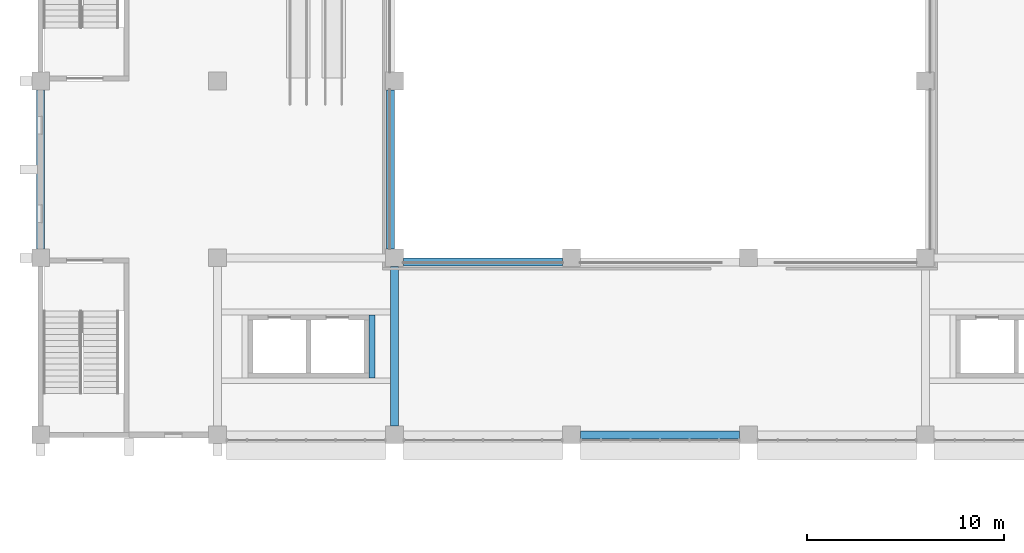
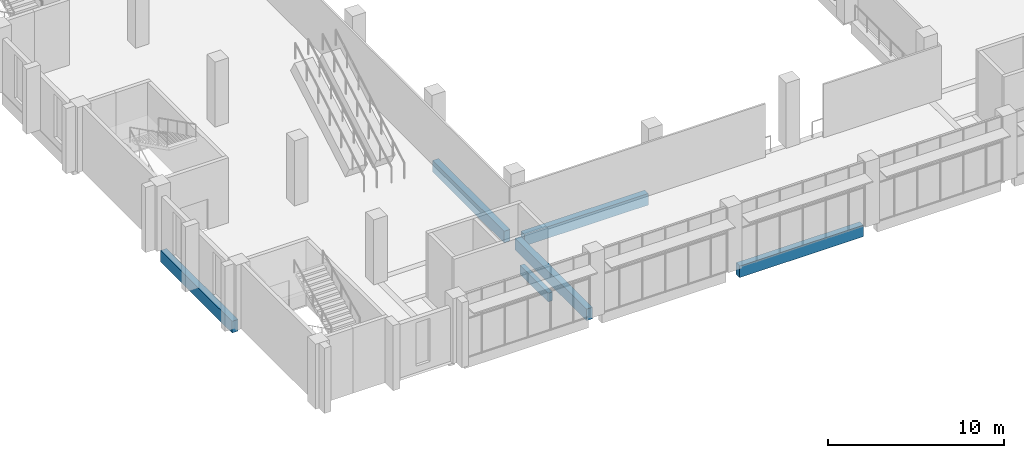
# One storey, part 3 of 88: 6 beams.
"""IFC4 building model written with IfcOpenShell, lengths in metres."""

from ifc_helpers import new_model, si_unit, direction, frame, origin, origin_2d, place, context, subcontext, project, spatial, rectangle, extrude, material, material_profile, profile_set, type_object, element, save


model = new_model("IFC4")

# Units and contexts
model_context = context("Model", 3, precision=1e-05, world=origin(), true_north=direction((0.0, 1.0)))
body_context = subcontext(model_context, "Body", "Model", "MODEL_VIEW")
ifc_project = project(units=[si_unit("LENGTHUNIT", "METRE"), si_unit("AREAUNIT", "SQUARE_METRE"), si_unit("VOLUMEUNIT", "CUBIC_METRE"), si_unit("PLANEANGLEUNIT", "RADIAN"), si_unit("MASSUNIT", "GRAM", prefix="KILO")], contexts=[model_context])

# Site, building, storey
site_placement = place(None, origin())
site = spatial("IfcSite", under=ifc_project, at=site_placement, CompositionType="ELEMENT")
building_placement = place(site_placement, origin())
building = spatial("IfcBuilding", under=site, at=building_placement, Name="Guidao Yard Department Store", CompositionType="ELEMENT")
storey_placement = place(building_placement, frame((0.0, 0.0, 6.0)))
storey = spatial("IfcBuildingStorey", under=building, at=storey_placement, Name="L01", CompositionType="ELEMENT", Elevation=6.0)

# Beams
ifc_material_1 = material(Name="Concrete C40", Category="concrete")
ifc_material_profile_1 = material_profile(ifc_material_1, rectangle(XDim=0.39990234375, YDim=0.800048828125, at=origin_2d()), Name="Edge beam 400 x 800 C40")
ifc_profile_set_1 = profile_set([ifc_material_profile_1], Name="Concrete C40")
beam_type_1 = type_object("IfcBeamType", Name="Edge beam 400 x 800 C40", PredefinedType="BEAM", material=ifc_profile_set_1)
for number, where, z_axis, x_axis, name in (
    (1, (18.449951171875, 53.800048828125, -0.39990234375), (1.0, 0.0, 0.0), (0.0, 1.0, 0.0), "Beam EB15"),
    (2, (17.800048828125, 54.449951171875, -0.39990234375), (0.0, 1.0, 0.0), (-1.0, 0.0, 0.0), "Beam EB25"),
    (3, (18.0, 45.449951171875, -0.39990234375), (0.0, 1.0, 0.0), (-1.0, 0.0, 0.0), "Beam EB87"),
):
    element("IfcBeam", number, at=place(storey_placement, frame(where, z_axis=z_axis, x_axis=x_axis)), inside=storey, type_object=beam_type_1, Name=name, PredefinedType="BEAM", context=body_context, shape_type="SweptSolid", body=[
        extrude(rectangle(XDim=0.39990234375, YDim=0.800048828125, at=origin_2d()), origin(), (0.0, 0.0, 1.0), 8.10009765625),
    ])
ifc_material_2 = material(Name="Concrete C40", Category="concrete")
ifc_material_profile_2 = material_profile(ifc_material_2, rectangle(XDim=0.300048828125, YDim=0.60009765625, at=origin_2d()), Name="Opening beam 300 x 600 C40")
ifc_profile_set_2 = profile_set([ifc_material_profile_2], Name="Concrete C40")
beam_type_2 = type_object("IfcBeamType", Name="Opening beam 300 x 600 C40", PredefinedType="BEAM", material=ifc_profile_set_2)
beam_placement = place(storey_placement, frame((16.85009765625, 47.89990234375, -0.300048828125), z_axis=(0.0, 1.0, 0.0), x_axis=(-1.0, 0.0, 0.0)))
element("IfcBeam", 4, at=beam_placement, inside=storey, type_object=beam_type_2, Name="Beam OB04", PredefinedType="BEAM", context=body_context, shape_type="SweptSolid", body=[
    extrude(rectangle(XDim=0.300048828125, YDim=0.60009765625, at=origin_2d()), origin(), (0.0, 0.0, 1.0), 3.2001953125),
])
ifc_material_3 = material(Name="Concrete C40", Category="concrete")
ifc_material_profile_3 = material_profile(ifc_material_3, rectangle(XDim=0.39990234375, YDim=0.800048828125, at=origin_2d()), Name="Spandrel beam 400 x 800 C40")
ifc_profile_set_3 = profile_set([ifc_material_profile_3], Name="Concrete C40")
beam_type_3 = type_object("IfcBeamType", Name="Spandrel beam 400 x 800 C40", PredefinedType="SPANDREL", material=ifc_profile_set_3)
for number, where, z_axis, x_axis, name in (
    (5, (27.449951171875, 45.0, -0.39990234375), (1.0, 0.0, 0.0), (0.0, 1.0, 0.0), "Beam EB03"),
    (6, (0.0, 54.449951171875, -0.39990234375), (0.0, 1.0, 0.0), (-1.0, 0.0, 0.0), "Beam EB06"),
):
    element("IfcBeam", number, at=place(storey_placement, frame(where, z_axis=z_axis, x_axis=x_axis)), inside=storey, type_object=beam_type_3, Name=name, PredefinedType="SPANDREL", context=body_context, shape_type="SweptSolid", body=[
        extrude(rectangle(XDim=0.39990234375, YDim=0.800048828125, at=origin_2d()), origin(), (0.0, 0.0, 1.0), 8.10009765625),
    ])

save(model, "model.ifc")
